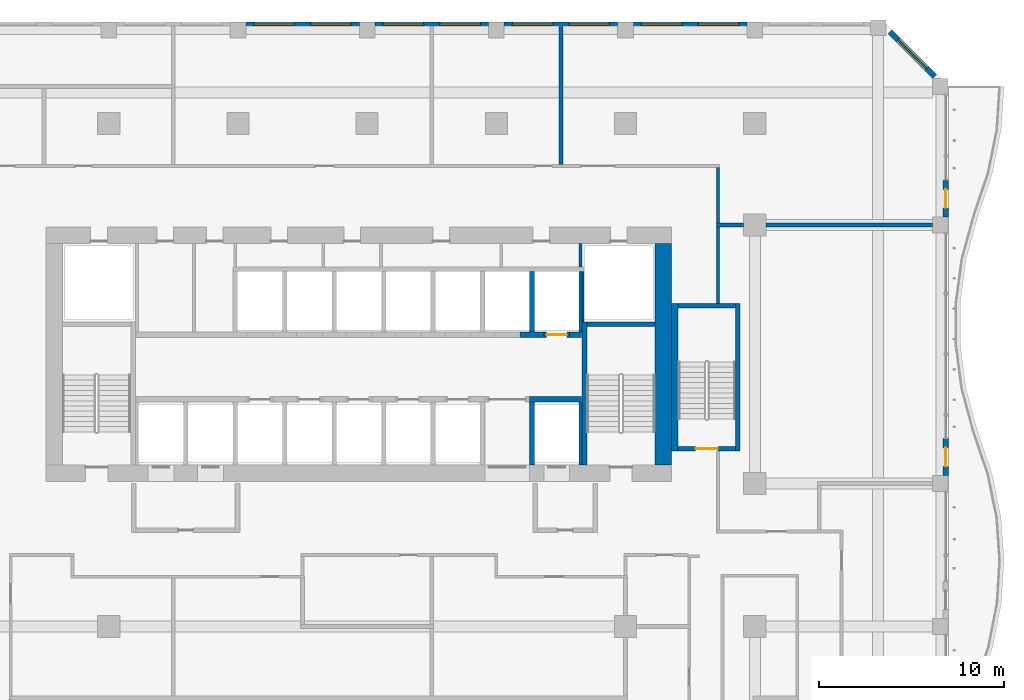
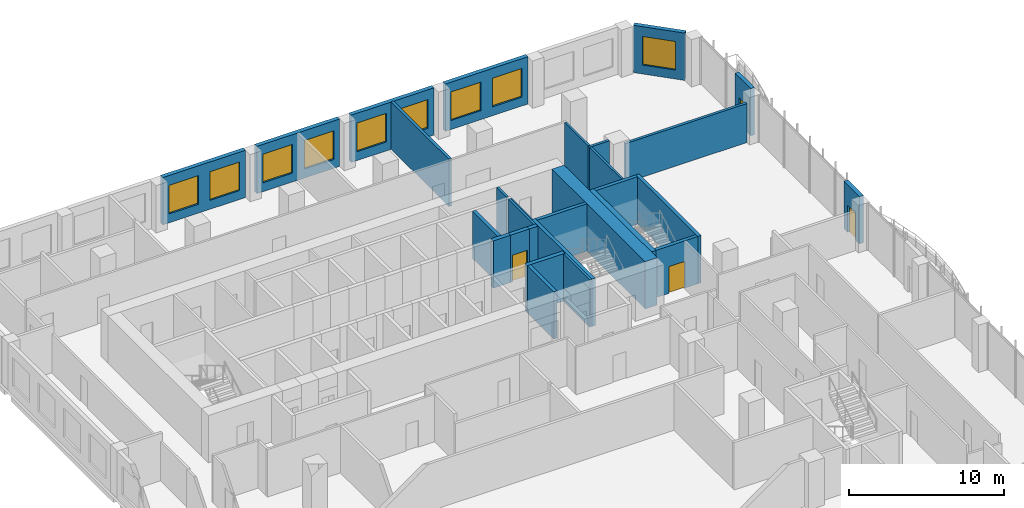
# One storey, part 17 of 27: 29 walls, 9 windows, 4 doors, 13 openings.
"""IFC4 building model written with IfcOpenShell, lengths in metres."""

from ifc_helpers import new_model, si_unit, direction, frame, frame_2d, origin, place, context, subcontext, project, spatial, rectangle, extrude, source, transform, mapped, material, layer, layer_set, type_object, element, fill, save


model = new_model("IFC4")

# Units and contexts
model_context = context("Model", 3, precision=1e-05, world=origin(), true_north=direction((0.0, 1.0)))
body_context = subcontext(model_context, "Body", "Model", "MODEL_VIEW")
ifc_project = project(units=[si_unit("LENGTHUNIT", "METRE"), si_unit("AREAUNIT", "SQUARE_METRE"), si_unit("VOLUMEUNIT", "CUBIC_METRE"), si_unit("PLANEANGLEUNIT", "RADIAN"), si_unit("MASSUNIT", "GRAM", prefix="KILO")], contexts=[model_context])

# Site, building, storey
site_placement = place(None, origin())
site = spatial("IfcSite", under=ifc_project, at=site_placement, CompositionType="ELEMENT")
building_placement = place(site_placement, origin())
building = spatial("IfcBuilding", under=site, at=building_placement, Name="Kilnfold Tower and Market Hall", CompositionType="ELEMENT")
storey_placement = place(building_placement, frame((0.0, 0.0, 112.60009765625)))
storey = spatial("IfcBuildingStorey", under=building, at=storey_placement, Name="L26", CompositionType="ELEMENT", Elevation=112.60009765625)

# Walls
ifc_material_1 = material(Name="Gypsum board on steel studs", Category="steel")
ifc_layer_1 = layer(ifc_material_1, 0.14990234375)
ifc_layer_set_1 = layer_set([ifc_layer_1], Name="Gypsum board on steel studs")
wall_type_1 = type_object("IfcWallType", Name="WALL CORRIDOR 150", PredefinedType="PARTITIONING", material=ifc_layer_set_1)
wall_1_placement = place(storey_placement, frame((20.5, 17.75, 0.0), z_axis=(0.0, 0.0, 1.0), x_axis=(0.0, 1.0, 0.0)))
element("IfcWall", 1, at=wall_1_placement, inside=storey, type_object=wall_type_1, Name="Partition LY17.31", PredefinedType="PARTITIONING", context=body_context, shape_type="SweptSolid", body=[
    extrude(rectangle(XDim=4.159912109375, YDim=0.14990234375, at=frame_2d((2.080078125, 0.0))), origin(), (0.0, 0.0, 1.0), 3.719970703125),
])
wall_2_placement = place(storey_placement, frame((20.5, 22.090087890625, 0.0), z_axis=(0.0, 0.0, 1.0), x_axis=(0.0, 1.0, 0.0)))
element("IfcWall", 2, at=wall_2_placement, inside=storey, type_object=wall_type_1, Name="Partition LY17.34", PredefinedType="PARTITIONING", context=body_context, shape_type="SweptSolid", body=[
    extrude(rectangle(XDim=3.034912109375, YDim=0.14990234375, at=frame_2d((1.517578125, 0.0))), origin(), (0.0, 0.0, 1.0), 3.719970703125),
])
ifc_material_2 = material(Name="Gypsum board on steel studs", Category="steel")
ifc_layer_2 = layer(ifc_material_2, 0.199951171875)
ifc_layer_set_2 = layer_set([ifc_layer_2], Name="Gypsum board on steel studs")
wall_type_2 = type_object("IfcWallType", Name="WALL PARTY 200", PredefinedType="PARTITIONING", material=ifc_layer_set_2)
wall_3_placement = place(storey_placement, frame((20.426025390625, 22.0, 0.0), z_axis=(0.0, 0.0, 1.0), x_axis=(1.0, 0.0, 0.0)))
element("IfcWall", 3, at=wall_3_placement, inside=storey, type_object=wall_type_2, Name="Partition LY17.66", PredefinedType="PARTITIONING", context=body_context, shape_type="SweptSolid", body=[
    extrude(rectangle(XDim=1.473876953125, YDim=0.199951171875, at=frame_2d((0.73681640625, 0.0))), origin(), (0.0, 0.0, 1.0), 3.719970703125),
])
wall_4_placement = place(storey_placement, frame((23.10009765625, 22.0, 0.0), z_axis=(0.0, 0.0, 1.0), x_axis=(1.0, 0.0, 0.0)))
element("IfcWall", 4, at=wall_4_placement, inside=storey, type_object=wall_type_2, Name="Partition LY17.67", PredefinedType="PARTITIONING", context=body_context, shape_type="SweptSolid", body=[
    extrude(rectangle(XDim=9.02490234375, YDim=0.199951171875, at=frame_2d((4.512451171875, 0.0))), origin(), (0.0, 0.0, 1.0), 3.06982421875),
])
wall_5_placement = place(storey_placement, frame((12.0, 25.27587890625, 0.0), z_axis=(0.0, 0.0, 1.0), x_axis=(0.0, 1.0, 0.0)))
element("IfcWall", 5, at=wall_5_placement, inside=storey, type_object=wall_type_2, Name="Partition LY17.68", PredefinedType="PARTITIONING", context=body_context, shape_type="SweptSolid", body=[
    extrude(rectangle(XDim=7.47412109375, YDim=0.199951171875, at=frame_2d((3.737060546875, 0.0))), origin(), (0.0, 0.0, 1.0), 3.719970703125),
])
ifc_material_3 = material(Name="Concrete C70", Category="concrete")
ifc_layer_3 = layer(ifc_material_3, 0.25)
ifc_layer_set_3 = layer_set([ifc_layer_3], Name="Concrete C70")
wall_type_3 = type_object("IfcWallType", Name="CORE WALL 250 C70", PredefinedType="SHEAR", material=ifc_layer_set_3)
shared_shape_1 = source(origin(), body_context, "Body", "SweptSolid", [
    extrude(rectangle(XDim=7.75, YDim=0.25, at=frame_2d((3.875, 0.0))), origin(), (0.0, 0.0, 1.0), 3.719970703125),
])
wall_6_placement = place(storey_placement, frame((13.27490234375, 9.0, 0.0), z_axis=(0.0, 0.0, 1.0), x_axis=(0.0, 1.0, 0.0)))
element("IfcWall", 6, at=wall_6_placement, inside=storey, type_object=wall_type_3, Name="Stair enclosure ST2", PredefinedType="SHEAR", context=body_context, shape_type="MappedRepresentation", body=[
    mapped(shared_shape_1, transform((0.0, 0.0, 0.0))),
])
shared_shape_2 = source(origin(), body_context, "Body", "SweptSolid", [
    extrude(rectangle(XDim=3.7001953125, YDim=0.25, at=frame_2d((1.85009765625, 0.0))), origin(), (0.0, 0.0, 1.0), 3.719970703125),
])
wall_7_placement = place(storey_placement, frame((13.39990234375, 16.625, 0.0), z_axis=(0.0, 0.0, 1.0), x_axis=(1.0, 0.0, 0.0)))
element("IfcWall", 7, at=wall_7_placement, inside=storey, type_object=wall_type_3, Name="Stair enclosure ST2", PredefinedType="SHEAR", context=body_context, shape_type="MappedRepresentation", body=[
    mapped(shared_shape_2, transform((0.0, 0.0, 0.0))),
])
shared_shape_3 = source(origin(), body_context, "Body", "SweptSolid", [
    extrude(rectangle(XDim=8.0, YDim=0.25, at=frame_2d((4.0, 0.0))), origin(), (0.0, 0.0, 1.0), 3.719970703125),
])
wall_8_placement = place(storey_placement, frame((21.574951171875, 9.75, 0.0), z_axis=(0.0, 0.0, 1.0), x_axis=(0.0, 1.0, 0.0)))
element("IfcWall", 8, at=wall_8_placement, inside=storey, type_object=wall_type_3, Name="Stair enclosure ST5", PredefinedType="SHEAR", context=body_context, shape_type="MappedRepresentation", body=[
    mapped(shared_shape_3, transform((0.0, 0.0, 0.0))),
])

# Wall, opening, door
shared_shape_4 = source(origin(), body_context, "Body", "SweptSolid", [
    extrude(rectangle(XDim=3.099853515625, YDim=0.25, at=frame_2d((1.5498046875, 0.0))), origin(), (0.0, 0.0, 1.0), 3.719970703125),
])
wall_9_placement = place(storey_placement, frame((18.35009765625, 9.875, 0.0), z_axis=(0.0, 0.0, 1.0), x_axis=(1.0, 0.0, 0.0)))
wall_9 = element("IfcWall", 9, at=wall_9_placement, inside=storey, type_object=wall_type_3, Name="Stair enclosure ST5", PredefinedType="SHEAR", context=body_context, shape_type="MappedRepresentation", body=[
    mapped(shared_shape_4, transform((0.0, 0.0, 0.0))),
])
opening_1_placement = place(wall_9_placement, frame((0.949951171875, 0.0, 0.0)))
opening_1 = element("IfcOpeningElement", 10, at=opening_1_placement, cuts=wall_9, Name="Opening SD1", PredefinedType="OPENING", context=body_context, shape_type="SweptSolid", body=[
    extrude(rectangle(XDim=1.199951171875, YDim=2.10009765625, at=frame_2d((0.60009765625, 1.050048828125))), frame((0.0, 0.135009765625, 0.0), z_axis=(0.0, -1.0, 0.0), x_axis=(1.0, 0.0, 0.0)), (0.0, 0.0, 1.0), 0.27001953125),
])
ifc_material_4 = material(Name="Steel door set with fire-resisting leaf", Category="steel")
door_type_1 = type_object("IfcDoorType", Name="STAIR FLOOR DOOR 1200X2100", OperationType="NOTDEFINED", PredefinedType="DOOR", material=ifc_material_4)
door_1_placement = place(opening_1_placement, origin())
door_1 = element("IfcDoor", 11, at=door_1_placement, inside=storey, type_object=door_type_1, Name="Exit stair ST5 door", OperationType="DOUBLE_DOOR_SINGLE_SWING", OverallHeight=2.10009765625, OverallWidth=1.199951171875, PredefinedType="DOOR", context=body_context, shape_type="SweptSolid", body=[
    extrude(rectangle(XDim=1.199951171875, YDim=2.10009765625, at=frame_2d((0.60009765625, 1.050048828125))), frame((0.0, 0.02490234375, 0.0), z_axis=(0.0, -1.0, 0.0), x_axis=(1.0, 0.0, 0.0)), (0.0, 0.0, 1.0), 0.050048828125),
])
fill(opening_1, door_1)

# Walls
wall_10_placement = place(storey_placement, frame((18.35009765625, 17.625, 0.0), z_axis=(0.0, 0.0, 1.0), x_axis=(1.0, 0.0, 0.0)))
element("IfcWall", 12, at=wall_10_placement, inside=storey, type_object=wall_type_3, Name="Stair enclosure ST5", PredefinedType="SHEAR", context=body_context, shape_type="MappedRepresentation", body=[
    mapped(shared_shape_4, transform((0.0, 0.0, 0.0))),
])
ifc_material_5 = material(Name="Concrete C70", Category="concrete")
ifc_layer_4 = layer(ifc_material_5, 0.300048828125)
ifc_layer_set_4 = layer_set([ifc_layer_4], Name="Concrete C70")
wall_type_4 = type_object("IfcWallType", Name="CORE WALL 300 C70", PredefinedType="SHEAR", material=ifc_layer_set_4)
shared_shape_5 = source(origin(), body_context, "Body", "SweptSolid", [
    extrude(rectangle(XDim=1.280029296875, YDim=0.300048828125, at=frame_2d((0.64013671875, 0.0))), origin(), (0.0, 0.0, 1.0), 3.719970703125),
])
wall_11_placement = place(storey_placement, frame((9.7900390625, 16.050048828125, 0.0), z_axis=(0.0, 0.0, 1.0), x_axis=(1.0, 0.0, 0.0)))
element("IfcWall", 13, at=wall_11_placement, inside=storey, type_object=wall_type_4, Name="Core spine wall", PredefinedType="SHEAR", context=body_context, shape_type="MappedRepresentation", body=[
    mapped(shared_shape_5, transform((0.0, 0.0, 0.0))),
])
shared_shape_6 = source(origin(), body_context, "Body", "SweptSolid", [
    extrude(rectangle(XDim=2.820068359375, YDim=0.300048828125, at=frame_2d((1.41015625, 0.0))), origin(), (0.0, 0.0, 1.0), 3.719970703125),
])
wall_12_placement = place(storey_placement, frame((10.2900390625, 12.550048828125, 0.0), z_axis=(0.0, 0.0, 1.0), x_axis=(1.0, 0.0, 0.0)))
element("IfcWall", 14, at=wall_12_placement, inside=storey, type_object=wall_type_4, Name="Core spine wall", PredefinedType="SHEAR", context=body_context, shape_type="MappedRepresentation", body=[
    mapped(shared_shape_6, transform((0.0, 0.0, 0.0))),
])
shared_shape_7 = source(origin(), body_context, "Body", "SweptSolid", [
    extrude(rectangle(XDim=0.64013671875, YDim=0.300048828125, at=frame_2d((0.320068359375, 0.0))), origin(), (0.0, 0.0, 1.0), 3.719970703125),
])
wall_13_placement = place(storey_placement, frame((12.469970703125, 16.050048828125, 0.0), z_axis=(0.0, 0.0, 1.0), x_axis=(1.0, 0.0, 0.0)))
element("IfcWall", 15, at=wall_13_placement, inside=storey, type_object=wall_type_4, Name="Core spine wall", PredefinedType="SHEAR", context=body_context, shape_type="MappedRepresentation", body=[
    mapped(shared_shape_7, transform((0.0, 0.0, 0.0))),
])
ifc_material_6 = material(Name="Concrete C70", Category="concrete")
ifc_layer_5 = layer(ifc_material_6, 0.89990234375)
ifc_layer_set_5 = layer_set([ifc_layer_5], Name="Concrete C70")
wall_type_5 = type_object("IfcWallType", Name="CORE WALL 900 C70", PredefinedType="SHEAR", material=ifc_layer_set_5)
shared_shape_8 = source(origin(), body_context, "Body", "SweptSolid", [
    extrude(rectangle(XDim=12.0, YDim=0.89990234375, at=frame_2d((6.0, 0.0))), origin(), (0.0, 0.0, 1.0), 3.719970703125),
])
wall_14_placement = place(storey_placement, frame((17.550048828125, 9.0, 0.0), z_axis=(0.0, 0.0, 1.0), x_axis=(0.0, 1.0, 0.0)))
element("IfcWall", 16, at=wall_14_placement, inside=storey, type_object=wall_type_5, Name="Core outer wall east", PredefinedType="SHEAR", context=body_context, shape_type="MappedRepresentation", body=[
    mapped(shared_shape_8, transform((0.0, 0.0, 0.0))),
])
ifc_material_7 = material(Name="Concrete C70", Category="concrete")
ifc_layer_6 = layer(ifc_material_7, 0.35009765625)
ifc_layer_set_6 = layer_set([ifc_layer_6], Name="Concrete C70")
wall_type_6 = type_object("IfcWallType", Name="CORE WALL 350 C70", PredefinedType="SHEAR", material=ifc_layer_set_6)
shared_shape_9 = source(origin(), body_context, "Body", "SweptSolid", [
    extrude(rectangle(XDim=8.0, YDim=0.35009765625, at=frame_2d((4.0, 0.0))), origin(), (0.0, 0.0, 1.0), 3.719970703125),
])
wall_15_placement = place(storey_placement, frame((18.175048828125, 9.75, 0.0), z_axis=(0.0, 0.0, 1.0), x_axis=(0.0, 1.0, 0.0)))
element("IfcWall", 17, at=wall_15_placement, inside=storey, type_object=wall_type_6, Name="Stair enclosure ST5", PredefinedType="SHEAR", context=body_context, shape_type="MappedRepresentation", body=[
    mapped(shared_shape_9, transform((0.0, 0.0, 0.0))),
])

# Wall, opening, door
ifc_material_8 = material(Name="Precast concrete C50/60", Category="concrete")
ifc_layer_7 = layer(ifc_material_8, 0.300048828125)
ifc_layer_set_7 = layer_set([ifc_layer_7], Name="Precast concrete C50/60")
wall_type_7 = type_object("IfcWallType", Name="PRECAST WALL 300", PredefinedType="SOLIDWALL", material=ifc_layer_set_7)
shared_shape_10 = source(origin(), body_context, "Body", "SweptSolid", [
    extrude(rectangle(XDim=2.0, YDim=0.300048828125, at=frame_2d((1.0, 0.0))), origin(), (0.0, 0.0, 1.0), 3.719970703125),
])
wall_16_placement = place(storey_placement, frame((32.85009765625, 8.425048828125, 0.0), z_axis=(0.0, 0.0, 1.0), x_axis=(0.0, 1.0, 0.0)))
wall_16 = element("IfcWall", 18, at=wall_16_placement, inside=storey, type_object=wall_type_7, Name="External wall L26 E", PredefinedType="SOLIDWALL", context=body_context, shape_type="MappedRepresentation", body=[
    mapped(shared_shape_10, transform((0.0, 0.0, 0.0))),
])
opening_2_placement = place(wall_16_placement, frame((0.5, 0.0, 0.0)))
opening_2 = element("IfcOpeningElement", 19, at=opening_2_placement, cuts=wall_16, Name="Opening BD1", PredefinedType="OPENING", context=body_context, shape_type="SweptSolid", body=[
    extrude(rectangle(XDim=1.0, YDim=2.10009765625, at=frame_2d((0.5, 1.050048828125))), frame((0.0, 0.16015625, 0.0), z_axis=(0.0, -1.0, 0.0), x_axis=(1.0, 0.0, 0.0)), (0.0, 0.0, 1.0), 0.320068359375),
])
ifc_material_9 = material(Name="Aluminium frame and double glazing", Category="aluminium")
door_type_2 = type_object("IfcDoorType", Name="BALCONY DOOR 1000X2100", OperationType="NOTDEFINED", PredefinedType="DOOR", material=ifc_material_9)
door_2_placement = place(opening_2_placement, origin())
door_2 = element("IfcDoor", 20, at=door_2_placement, inside=storey, type_object=door_type_2, Name="Balcony door BD1 L26 E-1", OperationType="SINGLE_SWING_LEFT", OverallHeight=2.10009765625, OverallWidth=1.0, PredefinedType="DOOR", context=body_context, shape_type="SweptSolid", body=[
    extrude(rectangle(XDim=1.0, YDim=2.10009765625, at=frame_2d((0.5, 1.050048828125))), frame((0.0, 0.02490234375, 0.0), z_axis=(0.0, -1.0, 0.0), x_axis=(1.0, 0.0, 0.0)), (0.0, 0.0, 1.0), 0.050048828125),
])
fill(opening_2, door_2)

wall_17_placement = place(storey_placement, frame((32.85009765625, 22.425048828125, 0.0), z_axis=(0.0, 0.0, 1.0), x_axis=(0.0, 1.0, 0.0)))
wall_17 = element("IfcWall", 21, at=wall_17_placement, inside=storey, type_object=wall_type_7, Name="External wall L26 E", PredefinedType="SOLIDWALL", context=body_context, shape_type="MappedRepresentation", body=[
    mapped(shared_shape_10, transform((0.0, 0.0, 0.0))),
])
opening_3_placement = place(wall_17_placement, frame((0.5, 0.0, 0.0)))
opening_3 = element("IfcOpeningElement", 22, at=opening_3_placement, cuts=wall_17, Name="Opening BD1", PredefinedType="OPENING", context=body_context, shape_type="SweptSolid", body=[
    extrude(rectangle(XDim=1.0, YDim=2.10009765625, at=frame_2d((0.5, 1.050048828125))), frame((0.0, 0.16015625, 0.0), z_axis=(0.0, -1.0, 0.0), x_axis=(1.0, 0.0, 0.0)), (0.0, 0.0, 1.0), 0.320068359375),
])
door_3_placement = place(opening_3_placement, origin())
door_3 = element("IfcDoor", 23, at=door_3_placement, inside=storey, type_object=door_type_2, Name="Balcony door BD1 L26 E-1", OperationType="SINGLE_SWING_LEFT", OverallHeight=2.10009765625, OverallWidth=1.0, PredefinedType="DOOR", context=body_context, shape_type="SweptSolid", body=[
    extrude(rectangle(XDim=1.0, YDim=2.10009765625, at=frame_2d((0.5, 1.050048828125))), frame((0.0, 0.02490234375, 0.0), z_axis=(0.0, -1.0, 0.0), x_axis=(1.0, 0.0, 0.0)), (0.0, 0.0, 1.0), 0.050048828125),
])
fill(opening_3, door_3)

# Wall, opening, window
shared_shape_11 = source(origin(), body_context, "Body", "SweptSolid", [
    extrude(rectangle(XDim=3.429443359375, YDim=0.300048828125, at=frame_2d((1.71484375, 0.0))), origin(), (0.0, 0.0, 1.0), 3.719970703125),
])
wall_18_placement = place(storey_placement, frame((32.243896484375, 30.0439453125, 0.0), z_axis=(0.0, 0.0, 1.0), x_axis=(-0.707106781187, 0.707106781187, 0.0)))
wall_18 = element("IfcWall", 24, at=wall_18_placement, inside=storey, type_object=wall_type_7, Name="External wall L26 NE", PredefinedType="SOLIDWALL", context=body_context, shape_type="MappedRepresentation", body=[
    mapped(shared_shape_11, transform((0.0, 0.0, 0.0))),
])
opening_4_placement = place(wall_18_placement, frame((0.61474609375, 0.0, 0.699951171875)))
opening_4 = element("IfcOpeningElement", 25, at=opening_4_placement, cuts=wall_18, Name="Opening W1", PredefinedType="OPENING", context=body_context, shape_type="SweptSolid", body=[
    extrude(rectangle(XDim=2.199951171875, YDim=2.25, at=frame_2d((1.10009765625, 1.125))), frame((0.0, 0.16015625, 0.0), z_axis=(0.0, -1.0, 0.0), x_axis=(1.0, 0.0, 0.0)), (0.0, 0.0, 1.0), 0.320068359375),
])
ifc_material_10 = material(Name="Aluminium frame and double glazing", Category="aluminium")
window_type = type_object("IfcWindowType", Name="WINDOW W1 2200X2250", PartitioningType="SINGLE_PANEL", PredefinedType="WINDOW", material=ifc_material_10)
window_1_placement = place(opening_4_placement, origin())
window_1 = element("IfcWindow", 26, at=window_1_placement, inside=storey, type_object=window_type, Name="Window W1 L26 NE-1", OverallHeight=2.25, OverallWidth=2.199951171875, PartitioningType="SINGLE_PANEL", PredefinedType="WINDOW", context=body_context, shape_type="SweptSolid", body=[
    extrude(rectangle(XDim=2.199951171875, YDim=2.25, at=frame_2d((1.10009765625, 1.125))), frame((0.0, 0.030029296875, 0.0), z_axis=(0.0, -1.0, 0.0), x_axis=(1.0, 0.0, 0.0)), (0.0, 0.0, 1.0), 0.06005859375),
])
fill(opening_4, window_1)

# Wall, openings, windows
shared_shape_12 = source(origin(), body_context, "Body", "SweptSolid", [
    extrude(rectangle(XDim=6.14990234375, YDim=0.300048828125, at=frame_2d((3.074951171875, 0.0))), origin(), (0.0, 0.0, 1.0), 3.719970703125),
])
wall_19_placement = place(storey_placement, frame((22.074951171875, 32.85009765625, 0.0), z_axis=(0.0, 0.0, 1.0), x_axis=(-1.0, 0.0, 0.0)))
wall_19 = element("IfcWall", 27, at=wall_19_placement, inside=storey, type_object=wall_type_7, Name="External wall L26 N", PredefinedType="SOLIDWALL", context=body_context, shape_type="MappedRepresentation", body=[
    mapped(shared_shape_12, transform((0.0, 0.0, 0.0))),
])
opening_5_placement = place(wall_19_placement, frame((0.4375, 0.0, 0.699951171875)))
opening_5 = element("IfcOpeningElement", 28, at=opening_5_placement, cuts=wall_19, Name="Opening W1", PredefinedType="OPENING", context=body_context, shape_type="SweptSolid", body=[
    extrude(rectangle(XDim=2.199951171875, YDim=2.25, at=frame_2d((1.10009765625, 1.125))), frame((0.0, 0.16015625, 0.0), z_axis=(0.0, -1.0, 0.0), x_axis=(1.0, 0.0, 0.0)), (0.0, 0.0, 1.0), 0.320068359375),
])
opening_6_placement = place(wall_19_placement, frame((3.512451171875, 0.0, 0.699951171875)))
opening_6 = element("IfcOpeningElement", 29, at=opening_6_placement, cuts=wall_19, Name="Opening W1", PredefinedType="OPENING", context=body_context, shape_type="SweptSolid", body=[
    extrude(rectangle(XDim=2.199951171875, YDim=2.25, at=frame_2d((1.10009765625, 1.125))), frame((0.0, 0.16015625, 0.0), z_axis=(0.0, -1.0, 0.0), x_axis=(1.0, 0.0, 0.0)), (0.0, 0.0, 1.0), 0.320068359375),
])
window_2_placement = place(opening_5_placement, origin())
window_2 = element("IfcWindow", 30, at=window_2_placement, inside=storey, type_object=window_type, Name="Window W1 L26 N-1", OverallHeight=2.25, OverallWidth=2.199951171875, PartitioningType="SINGLE_PANEL", PredefinedType="WINDOW", context=body_context, shape_type="SweptSolid", body=[
    extrude(rectangle(XDim=2.199951171875, YDim=2.25, at=frame_2d((1.10009765625, 1.125))), frame((0.0, 0.030029296875, 0.0), z_axis=(0.0, -1.0, 0.0), x_axis=(1.0, 0.0, 0.0)), (0.0, 0.0, 1.0), 0.06005859375),
])
fill(opening_5, window_2)
window_3_placement = place(opening_6_placement, origin())
window_3 = element("IfcWindow", 31, at=window_3_placement, inside=storey, type_object=window_type, Name="Window W1 L26 N-2", OverallHeight=2.25, OverallWidth=2.199951171875, PartitioningType="SINGLE_PANEL", PredefinedType="WINDOW", context=body_context, shape_type="SweptSolid", body=[
    extrude(rectangle(XDim=2.199951171875, YDim=2.25, at=frame_2d((1.10009765625, 1.125))), frame((0.0, 0.030029296875, 0.0), z_axis=(0.0, -1.0, 0.0), x_axis=(1.0, 0.0, 0.0)), (0.0, 0.0, 1.0), 0.06005859375),
])
fill(opening_6, window_3)

wall_20_placement = place(storey_placement, frame((15.074951171875, 32.85009765625, 0.0), z_axis=(0.0, 0.0, 1.0), x_axis=(-1.0, 0.0, 0.0)))
wall_20 = element("IfcWall", 32, at=wall_20_placement, inside=storey, type_object=wall_type_7, Name="External wall L26 N", PredefinedType="SOLIDWALL", context=body_context, shape_type="MappedRepresentation", body=[
    mapped(shared_shape_12, transform((0.0, 0.0, 0.0))),
])
opening_7_placement = place(wall_20_placement, frame((0.4375, 0.0, 0.699951171875)))
opening_7 = element("IfcOpeningElement", 33, at=opening_7_placement, cuts=wall_20, Name="Opening W1", PredefinedType="OPENING", context=body_context, shape_type="SweptSolid", body=[
    extrude(rectangle(XDim=2.199951171875, YDim=2.25, at=frame_2d((1.10009765625, 1.125))), frame((0.0, 0.16015625, 0.0), z_axis=(0.0, -1.0, 0.0), x_axis=(1.0, 0.0, 0.0)), (0.0, 0.0, 1.0), 0.320068359375),
])
opening_8_placement = place(wall_20_placement, frame((3.512451171875, 0.0, 0.699951171875)))
opening_8 = element("IfcOpeningElement", 34, at=opening_8_placement, cuts=wall_20, Name="Opening W1", PredefinedType="OPENING", context=body_context, shape_type="SweptSolid", body=[
    extrude(rectangle(XDim=2.199951171875, YDim=2.25, at=frame_2d((1.10009765625, 1.125))), frame((0.0, 0.16015625, 0.0), z_axis=(0.0, -1.0, 0.0), x_axis=(1.0, 0.0, 0.0)), (0.0, 0.0, 1.0), 0.320068359375),
])
window_4_placement = place(opening_7_placement, origin())
window_4 = element("IfcWindow", 35, at=window_4_placement, inside=storey, type_object=window_type, Name="Window W1 L26 N-1", OverallHeight=2.25, OverallWidth=2.199951171875, PartitioningType="SINGLE_PANEL", PredefinedType="WINDOW", context=body_context, shape_type="SweptSolid", body=[
    extrude(rectangle(XDim=2.199951171875, YDim=2.25, at=frame_2d((1.10009765625, 1.125))), frame((0.0, 0.030029296875, 0.0), z_axis=(0.0, -1.0, 0.0), x_axis=(1.0, 0.0, 0.0)), (0.0, 0.0, 1.0), 0.06005859375),
])
fill(opening_7, window_4)
window_5_placement = place(opening_8_placement, origin())
window_5 = element("IfcWindow", 36, at=window_5_placement, inside=storey, type_object=window_type, Name="Window W1 L26 N-2", OverallHeight=2.25, OverallWidth=2.199951171875, PartitioningType="SINGLE_PANEL", PredefinedType="WINDOW", context=body_context, shape_type="SweptSolid", body=[
    extrude(rectangle(XDim=2.199951171875, YDim=2.25, at=frame_2d((1.10009765625, 1.125))), frame((0.0, 0.030029296875, 0.0), z_axis=(0.0, -1.0, 0.0), x_axis=(1.0, 0.0, 0.0)), (0.0, 0.0, 1.0), 0.06005859375),
])
fill(opening_8, window_5)

wall_21_placement = place(storey_placement, frame((8.074951171875, 32.85009765625, 0.0), z_axis=(0.0, 0.0, 1.0), x_axis=(-1.0, 0.0, 0.0)))
wall_21 = element("IfcWall", 37, at=wall_21_placement, inside=storey, type_object=wall_type_7, Name="External wall L26 N", PredefinedType="SOLIDWALL", context=body_context, shape_type="MappedRepresentation", body=[
    mapped(shared_shape_12, transform((0.0, 0.0, 0.0))),
])
opening_9_placement = place(wall_21_placement, frame((0.4375, 0.0, 0.699951171875)))
opening_9 = element("IfcOpeningElement", 38, at=opening_9_placement, cuts=wall_21, Name="Opening W1", PredefinedType="OPENING", context=body_context, shape_type="SweptSolid", body=[
    extrude(rectangle(XDim=2.199951171875, YDim=2.25, at=frame_2d((1.10009765625, 1.125))), frame((0.0, 0.16015625, 0.0), z_axis=(0.0, -1.0, 0.0), x_axis=(1.0, 0.0, 0.0)), (0.0, 0.0, 1.0), 0.320068359375),
])
opening_10_placement = place(wall_21_placement, frame((3.512451171875, 0.0, 0.699951171875)))
opening_10 = element("IfcOpeningElement", 39, at=opening_10_placement, cuts=wall_21, Name="Opening W1", PredefinedType="OPENING", context=body_context, shape_type="SweptSolid", body=[
    extrude(rectangle(XDim=2.199951171875, YDim=2.25, at=frame_2d((1.10009765625, 1.125))), frame((0.0, 0.16015625, 0.0), z_axis=(0.0, -1.0, 0.0), x_axis=(1.0, 0.0, 0.0)), (0.0, 0.0, 1.0), 0.320068359375),
])
window_6_placement = place(opening_9_placement, origin())
window_6 = element("IfcWindow", 40, at=window_6_placement, inside=storey, type_object=window_type, Name="Window W1 L26 N-1", OverallHeight=2.25, OverallWidth=2.199951171875, PartitioningType="SINGLE_PANEL", PredefinedType="WINDOW", context=body_context, shape_type="SweptSolid", body=[
    extrude(rectangle(XDim=2.199951171875, YDim=2.25, at=frame_2d((1.10009765625, 1.125))), frame((0.0, 0.030029296875, 0.0), z_axis=(0.0, -1.0, 0.0), x_axis=(1.0, 0.0, 0.0)), (0.0, 0.0, 1.0), 0.06005859375),
])
fill(opening_9, window_6)
window_7_placement = place(opening_10_placement, origin())
window_7 = element("IfcWindow", 41, at=window_7_placement, inside=storey, type_object=window_type, Name="Window W1 L26 N-2", OverallHeight=2.25, OverallWidth=2.199951171875, PartitioningType="SINGLE_PANEL", PredefinedType="WINDOW", context=body_context, shape_type="SweptSolid", body=[
    extrude(rectangle(XDim=2.199951171875, YDim=2.25, at=frame_2d((1.10009765625, 1.125))), frame((0.0, 0.030029296875, 0.0), z_axis=(0.0, -1.0, 0.0), x_axis=(1.0, 0.0, 0.0)), (0.0, 0.0, 1.0), 0.06005859375),
])
fill(opening_10, window_7)

wall_22_placement = place(storey_placement, frame((1.074951171875, 32.85009765625, 0.0), z_axis=(0.0, 0.0, 1.0), x_axis=(-1.0, 0.0, 0.0)))
wall_22 = element("IfcWall", 42, at=wall_22_placement, inside=storey, type_object=wall_type_7, Name="External wall L26 N", PredefinedType="SOLIDWALL", context=body_context, shape_type="MappedRepresentation", body=[
    mapped(shared_shape_12, transform((0.0, 0.0, 0.0))),
])
opening_11_placement = place(wall_22_placement, frame((0.4375, 0.0, 0.699951171875)))
opening_11 = element("IfcOpeningElement", 43, at=opening_11_placement, cuts=wall_22, Name="Opening W1", PredefinedType="OPENING", context=body_context, shape_type="SweptSolid", body=[
    extrude(rectangle(XDim=2.199951171875, YDim=2.25, at=frame_2d((1.10009765625, 1.125))), frame((0.0, 0.16015625, 0.0), z_axis=(0.0, -1.0, 0.0), x_axis=(1.0, 0.0, 0.0)), (0.0, 0.0, 1.0), 0.320068359375),
])
opening_12_placement = place(wall_22_placement, frame((3.512451171875, 0.0, 0.699951171875)))
opening_12 = element("IfcOpeningElement", 44, at=opening_12_placement, cuts=wall_22, Name="Opening W1", PredefinedType="OPENING", context=body_context, shape_type="SweptSolid", body=[
    extrude(rectangle(XDim=2.199951171875, YDim=2.25, at=frame_2d((1.10009765625, 1.125))), frame((0.0, 0.16015625, 0.0), z_axis=(0.0, -1.0, 0.0), x_axis=(1.0, 0.0, 0.0)), (0.0, 0.0, 1.0), 0.320068359375),
])
window_8_placement = place(opening_11_placement, origin())
window_8 = element("IfcWindow", 45, at=window_8_placement, inside=storey, type_object=window_type, Name="Window W1 L26 N-1", OverallHeight=2.25, OverallWidth=2.199951171875, PartitioningType="SINGLE_PANEL", PredefinedType="WINDOW", context=body_context, shape_type="SweptSolid", body=[
    extrude(rectangle(XDim=2.199951171875, YDim=2.25, at=frame_2d((1.10009765625, 1.125))), frame((0.0, 0.030029296875, 0.0), z_axis=(0.0, -1.0, 0.0), x_axis=(1.0, 0.0, 0.0)), (0.0, 0.0, 1.0), 0.06005859375),
])
fill(opening_11, window_8)
window_9_placement = place(opening_12_placement, origin())
window_9 = element("IfcWindow", 46, at=window_9_placement, inside=storey, type_object=window_type, Name="Window W1 L26 N-2", OverallHeight=2.25, OverallWidth=2.199951171875, PartitioningType="SINGLE_PANEL", PredefinedType="WINDOW", context=body_context, shape_type="SweptSolid", body=[
    extrude(rectangle(XDim=2.199951171875, YDim=2.25, at=frame_2d((1.10009765625, 1.125))), frame((0.0, 0.030029296875, 0.0), z_axis=(0.0, -1.0, 0.0), x_axis=(1.0, 0.0, 0.0)), (0.0, 0.0, 1.0), 0.06005859375),
])
fill(opening_12, window_9)

# Wall, opening, door
ifc_material_11 = material(Name="Gypsum shaft wall system")
ifc_layer_8 = layer(ifc_material_11, 0.300048828125)
ifc_layer_set_8 = layer_set([ifc_layer_8], Name="Gypsum shaft wall system")
wall_type_8 = type_object("IfcWallType", Name="SHAFT WALL 300", PredefinedType="PARTITIONING", material=ifc_layer_set_8)
shared_shape_13 = source(origin(), body_context, "Body", "SweptSolid", [
    extrude(rectangle(XDim=1.39990234375, YDim=0.300048828125, at=frame_2d((0.699951171875, 0.0))), origin(), (0.0, 0.0, 1.0), 3.719970703125),
])
wall_23_placement = place(storey_placement, frame((11.070068359375, 16.050048828125, 0.0), z_axis=(0.0, 0.0, 1.0), x_axis=(1.0, 0.0, 0.0)))
wall_23 = element("IfcWall", 47, at=wall_23_placement, inside=storey, type_object=wall_type_8, Name="Lift shaft front wall", PredefinedType="PARTITIONING", context=body_context, shape_type="MappedRepresentation", body=[
    mapped(shared_shape_13, transform((0.0, 0.0, 0.0))),
])
opening_13_placement = place(wall_23_placement, frame((0.14990234375, 0.0, 0.0)))
opening_13 = element("IfcOpeningElement", 48, at=opening_13_placement, cuts=wall_23, Name="Opening LD2", PredefinedType="OPENING", context=body_context, shape_type="SweptSolid", body=[
    extrude(rectangle(XDim=1.10009765625, YDim=2.10009765625, at=frame_2d((0.550048828125, 1.050048828125))), frame((0.0, 0.16015625, 0.0), z_axis=(0.0, -1.0, 0.0), x_axis=(1.0, 0.0, 0.0)), (0.0, 0.0, 1.0), 0.320068359375),
])
ifc_material_12 = material(Name="Steel door set with fire-resisting leaf", Category="steel")
door_type_3 = type_object("IfcDoorType", Name="LANDING DOOR 1100X2100", OperationType="NOTDEFINED", PredefinedType="DOOR", material=ifc_material_12)
door_4_placement = place(opening_13_placement, origin())
door_4 = element("IfcDoor", 49, at=door_4_placement, inside=storey, type_object=door_type_3, Name="Landing door LR6", OperationType="DOUBLE_DOOR_SLIDING", OverallHeight=2.10009765625, OverallWidth=1.10009765625, PredefinedType="DOOR", context=body_context, shape_type="SweptSolid", body=[
    extrude(rectangle(XDim=1.10009765625, YDim=2.10009765625, at=frame_2d((0.550048828125, 1.050048828125))), frame((0.0, 0.02490234375, 0.0), z_axis=(0.0, -1.0, 0.0), x_axis=(1.0, 0.0, 0.0)), (0.0, 0.0, 1.0), 0.050048828125),
])
fill(opening_13, door_4)

# Walls
ifc_material_13 = material(Name="Gypsum shaft wall system")
ifc_layer_9 = layer(ifc_material_13, 0.1650390625)
ifc_layer_set_9 = layer_set([ifc_layer_9], Name="Gypsum shaft wall system")
wall_type_9 = type_object("IfcWallType", Name="SHAFT WALL 165", PredefinedType="PARTITIONING", material=ifc_layer_set_9)
shared_shape_14 = source(origin(), body_context, "Body", "SweptSolid", [
    extrude(rectangle(XDim=3.275146484375, YDim=0.1650390625, at=frame_2d((1.6376953125, 0.0))), origin(), (0.0, 0.0, 1.0), 3.719970703125),
])
wall_24_placement = place(storey_placement, frame((13.0673828125, 16.199951171875, 0.0), z_axis=(0.0, 0.0, 1.0), x_axis=(0.0, 1.0, 0.0)))
element("IfcWall", 50, at=wall_24_placement, inside=storey, type_object=wall_type_9, Name="Lift shaft wall", PredefinedType="PARTITIONING", context=body_context, shape_type="MappedRepresentation", body=[
    mapped(shared_shape_14, transform((0.0, 0.0, 0.0))),
])
shared_shape_15 = source(origin(), body_context, "Body", "SweptSolid", [
    extrude(rectangle(XDim=1.27490234375, YDim=0.1650390625, at=frame_2d((0.637451171875, 0.0))), origin(), (0.0, 0.0, 1.0), 3.719970703125),
])
wall_25_placement = place(storey_placement, frame((13.0673828125, 19.72509765625, 0.0), z_axis=(0.0, 0.0, 1.0), x_axis=(0.0, 1.0, 0.0)))
element("IfcWall", 51, at=wall_25_placement, inside=storey, type_object=wall_type_9, Name="Lift shaft wall", PredefinedType="PARTITIONING", context=body_context, shape_type="MappedRepresentation", body=[
    mapped(shared_shape_15, transform((0.0, 0.0, 0.0))),
])
ifc_material_14 = material(Name="Gypsum shaft wall system")
ifc_layer_10 = layer(ifc_material_14, 0.25)
ifc_layer_set_10 = layer_set([ifc_layer_10], Name="Gypsum shaft wall system")
wall_type_10 = type_object("IfcWallType", Name="SHAFT WALL 250", PredefinedType="PARTITIONING", material=ifc_layer_set_10)
shared_shape_16 = source(origin(), body_context, "Body", "SweptSolid", [
    extrude(rectangle(XDim=3.275146484375, YDim=0.25, at=frame_2d((1.6376953125, 0.0))), origin(), (0.0, 0.0, 1.0), 3.719970703125),
])
wall_26_placement = place(storey_placement, frame((10.429931640625, 16.199951171875, 0.0), z_axis=(0.0, 0.0, 1.0), x_axis=(0.0, 1.0, 0.0)))
element("IfcWall", 52, at=wall_26_placement, inside=storey, type_object=wall_type_10, Name="Lift shaft wall", PredefinedType="PARTITIONING", context=body_context, shape_type="MappedRepresentation", body=[
    mapped(shared_shape_16, transform((0.0, 0.0, 0.0))),
])
ifc_material_15 = material(Name="Gypsum shaft wall system")
ifc_layer_11 = layer(ifc_material_15, 0.0849609375)
ifc_layer_set_11 = layer_set([ifc_layer_11], Name="Gypsum shaft wall system")
wall_type_11 = type_object("IfcWallType", Name="SHAFT WALL 85", PredefinedType="PARTITIONING", material=ifc_layer_set_11)
shared_shape_17 = source(origin(), body_context, "Body", "SweptSolid", [
    extrude(rectangle(XDim=2.72509765625, YDim=0.0849609375, at=frame_2d((1.362548828125, 0.0))), origin(), (0.0, 0.0, 1.0), 3.719970703125),
])
wall_27_placement = place(storey_placement, frame((13.1923828125, 16.75, 0.0), z_axis=(0.0, 0.0, 1.0), x_axis=(0.0, 1.0, 0.0)))
element("IfcWall", 53, at=wall_27_placement, inside=storey, type_object=wall_type_11, Name="Lift shaft wall", PredefinedType="PARTITIONING", context=body_context, shape_type="MappedRepresentation", body=[
    mapped(shared_shape_17, transform((0.0, 0.0, 0.0))),
])
shared_shape_18 = source(origin(), body_context, "Body", "SweptSolid", [
    extrude(rectangle(XDim=3.39990234375, YDim=0.25, at=frame_2d((1.699951171875, 0.0))), origin(), (0.0, 0.0, 1.0), 3.719970703125),
])
wall_28_placement = place(storey_placement, frame((10.429931640625, 9.0, 0.0), z_axis=(0.0, 0.0, 1.0), x_axis=(0.0, 1.0, 0.0)))
element("IfcWall", 54, at=wall_28_placement, inside=storey, type_object=wall_type_10, Name="Lift shaft wall", PredefinedType="PARTITIONING", context=body_context, shape_type="MappedRepresentation", body=[
    mapped(shared_shape_18, transform((0.0, 0.0, 0.0))),
])
shared_shape_19 = source(origin(), body_context, "Body", "SweptSolid", [
    extrude(rectangle(XDim=3.39990234375, YDim=0.1650390625, at=frame_2d((1.699951171875, 0.0))), origin(), (0.0, 0.0, 1.0), 3.719970703125),
])
wall_29_placement = place(storey_placement, frame((13.0673828125, 9.0, 0.0), z_axis=(0.0, 0.0, 1.0), x_axis=(0.0, 1.0, 0.0)))
element("IfcWall", 55, at=wall_29_placement, inside=storey, type_object=wall_type_9, Name="Lift shaft wall", PredefinedType="PARTITIONING", context=body_context, shape_type="MappedRepresentation", body=[
    mapped(shared_shape_19, transform((0.0, 0.0, 0.0))),
])

save(model, "model.ifc")
